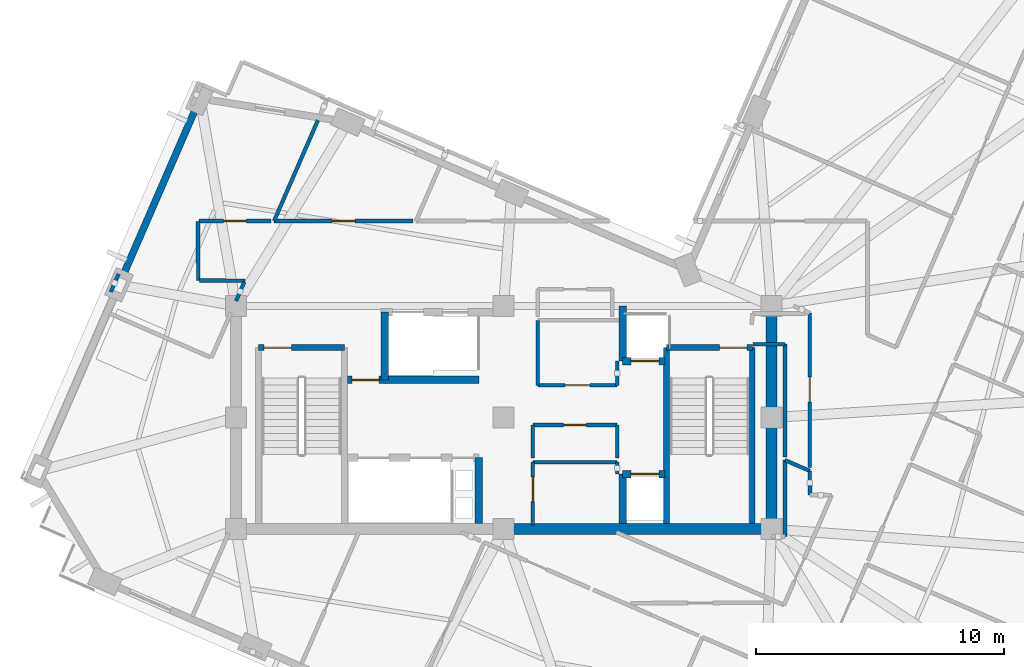
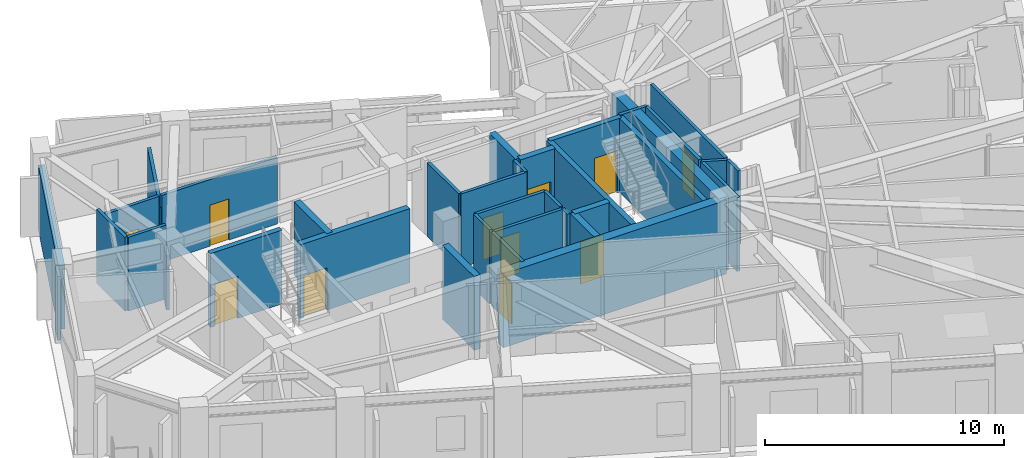
# One storey, part 6 of 12: 36 walls, 11 doors, 11 openings.
"""IFC4 building model written with IfcOpenShell, lengths in metres."""

from ifc_helpers import new_model, si_unit, direction, frame, frame_2d, origin, place, context, subcontext, project, spatial, rectangle, extrude, material, layer, layer_set, type_object, element, fill, save


model = new_model("IFC4")

# Units and contexts
model_context = context("Model", 3, precision=1e-05, world=origin(), true_north=direction((0.0, 1.0)))
body_context = subcontext(model_context, "Body", "Model", "MODEL_VIEW")
ifc_project = project(units=[si_unit("LENGTHUNIT", "METRE"), si_unit("AREAUNIT", "SQUARE_METRE"), si_unit("VOLUMEUNIT", "CUBIC_METRE"), si_unit("PLANEANGLEUNIT", "RADIAN"), si_unit("MASSUNIT", "GRAM", prefix="KILO")], contexts=[model_context])

# Site, building, storey
site_placement = place(None, origin())
site = spatial("IfcSite", under=ifc_project, at=site_placement, CompositionType="ELEMENT")
building_placement = place(site_placement, origin())
building = spatial("IfcBuilding", under=site, at=building_placement, Name="Gaonmaruhae Medical Tower", CompositionType="ELEMENT")
storey_placement = place(building_placement, frame((0.0, 0.0, 320.60009765625)))
storey = spatial("IfcBuildingStorey", under=building, at=storey_placement, Name="L77", CompositionType="ELEMENT", Elevation=320.60009765625)

# Walls
ifc_material_1 = material(Name="Concrete C50/60", Category="concrete")
ifc_layer_1 = layer(ifc_material_1, 0.449951171875)
ifc_layer_set_1 = layer_set([ifc_layer_1], Name="Concrete C50/60")
wall_type_1 = type_object("IfcWallType", Name="CW-450 Upper Core Shear Wall", PredefinedType="SHEAR", material=ifc_layer_set_1)
wall_1_placement = place(storey_placement, frame((24.800048828125, 7.800048828125, 0.0), z_axis=(0.0, 0.0, 1.0), x_axis=(1.0, 0.0, 0.0)))
element("IfcWall", 1, at=wall_1_placement, inside=storey, type_object=wall_type_1, Name="L77 Core Shear Wall CSW-S2", PredefinedType="SHEAR", context=body_context, shape_type="SweptSolid", body=[
    extrude(rectangle(XDim=10.800048828125, YDim=0.449951171875, at=frame_2d((5.39990234375, 0.0))), origin(), (0.0, 0.0, 1.0), 3.77978515625),
])
wall_2_placement = place(storey_placement, frame((35.60009765625, 7.800048828125, 0.0), z_axis=(0.0, 0.0, 1.0), x_axis=(0.0, 1.0, 0.0)))
element("IfcWall", 2, at=wall_2_placement, inside=storey, type_object=wall_type_1, Name="L77 Core Shear Wall CSW-E1", PredefinedType="SHEAR", context=body_context, shape_type="SweptSolid", body=[
    extrude(rectangle(XDim=9.0, YDim=0.449951171875, at=frame_2d((4.5, 0.0))), origin(), (0.0, 0.0, 1.0), 3.77978515625),
])
ifc_material_2 = material(Name="Precast concrete C45/55", Category="concrete")
ifc_layer_2 = layer(ifc_material_2, 0.280029296875)
ifc_layer_set_2 = layer_set([ifc_layer_2], Name="Precast concrete C45/55")
wall_type_2 = type_object("IfcWallType", Name="EW-280 Upper Precast Masonry-Frame Facade Wall", PredefinedType="SOLIDWALL", material=ifc_layer_set_2)
wall_3_placement = place(storey_placement, frame((9.44189453125, 18.01806640625, 0.0), z_axis=(0.0, 0.0, 1.0), x_axis=(0.398768305896, 0.917051709672, 0.0)))
element("IfcWall", 3, at=wall_3_placement, inside=storey, type_object=wall_type_2, Name="L77 Precast Masonry-Frame Wall N01-N02", PredefinedType="SOLIDWALL", context=body_context, shape_type="SweptSolid", body=[
    extrude(rectangle(XDim=7.405029296875, YDim=0.280029296875, at=frame_2d((3.70263671875, 0.0))), origin(), (0.0, 0.0, 1.0), 3.264892578125),
])

# Wall, opening, door
ifc_material_3 = material(Name="Gypsum board partition", Category="gypsum")
ifc_layer_3 = layer(ifc_material_3, 0.14990234375)
ifc_layer_set_3 = layer_set([ifc_layer_3], Name="Gypsum board partition")
wall_type_3 = type_object("IfcWallType", Name="PW-150 Rated Clinical Corridor Partition", PredefinedType="PARTITIONING", material=ifc_layer_set_3)
wall_4_placement = place(storey_placement, frame((25.97998046875, 7.9599609375, 0.0), z_axis=(0.0, 0.0, 1.0), x_axis=(0.0, 1.0, 0.0)))
wall_4 = element("IfcWall", 4, at=wall_4_placement, inside=storey, type_object=wall_type_3, Name="L77 Interior Partition L77-RCL1-1", PredefinedType="PARTITIONING", context=body_context, shape_type="SweptSolid", body=[
    extrude(rectangle(XDim=2.5400390625, YDim=0.14990234375, at=frame_2d((1.27001953125, 0.0))), origin(), (0.0, 0.0, 1.0), 3.77978515625),
])
opening_1_placement = place(wall_4_placement, frame((0.945068359375, 0.0, 0.0)))
opening_1 = element("IfcOpeningElement", 5, at=opening_1_placement, cuts=wall_4, Name="Opening CD-01", PredefinedType="OPENING", context=body_context, shape_type="SweptSolid", body=[
    extrude(rectangle(XDim=1.0, YDim=2.1201171875, at=frame_2d((0.5, 1.06005859375))), frame((0.0, 0.0849609375, 0.0), z_axis=(0.0, -1.0, 0.0), x_axis=(1.0, 0.0, 0.0)), (0.0, 0.0, 1.0), 0.169921875),
])
ifc_material_4 = material(Name="Antimicrobial laminate timber fire door", Category="wood")
door_type_1 = type_object("IfcDoorType", Name="CD-01 Consultation & Physician Office Door 1000x2120", OperationType="NOTDEFINED", PredefinedType="DOOR", material=ifc_material_4)
door_1_placement = place(opening_1_placement, origin())
door_1 = element("IfcDoor", 6, at=door_1_placement, inside=storey, type_object=door_type_1, Name="L77 Clinical Telemetry and Medication Room Door", OperationType="SINGLE_SWING_RIGHT", OverallHeight=2.1201171875, OverallWidth=1.0, PredefinedType="DOOR", context=body_context, shape_type="SweptSolid", body=[
    extrude(rectangle(XDim=1.0, YDim=2.1201171875, at=frame_2d((0.5, 1.06005859375))), frame((0.0, 0.02490234375, 0.0), z_axis=(0.0, -1.0, 0.0), x_axis=(1.0, 0.0, 0.0)), (0.0, 0.0, 1.0), 0.050048828125),
])
fill(opening_1, door_1)

# Walls
wall_5_placement = place(storey_placement, frame((25.97998046875, 10.5, 0.0), z_axis=(0.0, 0.0, 1.0), x_axis=(1.0, 0.0, 0.0)))
element("IfcWall", 7, at=wall_5_placement, inside=storey, type_object=wall_type_3, Name="L77 Interior Partition L77-RCL1-2", PredefinedType="PARTITIONING", context=body_context, shape_type="SweptSolid", body=[
    extrude(rectangle(XDim=3.39990234375, YDim=0.14990234375, at=frame_2d((1.699951171875, 0.0))), origin(), (0.0, 0.0, 1.0), 3.77978515625),
])
wall_6_placement = place(storey_placement, frame((29.3798828125, 10.5, 0.0), z_axis=(0.0, 0.0, 1.0), x_axis=(0.0, -1.0, 0.0)))
element("IfcWall", 8, at=wall_6_placement, inside=storey, type_object=wall_type_3, Name="L77 Interior Partition L77-RCL1-3", PredefinedType="PARTITIONING", context=body_context, shape_type="SweptSolid", body=[
    extrude(rectangle(XDim=0.47998046875, YDim=0.14990234375, at=frame_2d((0.239990234375, 0.0))), origin(), (0.0, 0.0, 1.0), 3.77978515625),
])
wall_7_placement = place(storey_placement, frame((25.97998046875, 10.659912109375, 0.0), z_axis=(0.0, 0.0, 1.0), x_axis=(0.0, 1.0, 0.0)))
element("IfcWall", 9, at=wall_7_placement, inside=storey, type_object=wall_type_3, Name="L77 Interior Partition L77-CS1-4", PredefinedType="PARTITIONING", context=body_context, shape_type="SweptSolid", body=[
    extrude(rectangle(XDim=1.340087890625, YDim=0.14990234375, at=frame_2d((0.669921875, 0.0))), origin(), (0.0, 0.0, 1.0), 3.77978515625),
])

# Wall, opening, door
wall_8_placement = place(storey_placement, frame((25.97998046875, 12.0, 0.0), z_axis=(0.0, 0.0, 1.0), x_axis=(1.0, 0.0, 0.0)))
wall_8 = element("IfcWall", 10, at=wall_8_placement, inside=storey, type_object=wall_type_3, Name="L77 Interior Partition L77-CS1-5", PredefinedType="PARTITIONING", context=body_context, shape_type="SweptSolid", body=[
    extrude(rectangle(XDim=3.39990234375, YDim=0.14990234375, at=frame_2d((1.699951171875, 0.0))), origin(), (0.0, 0.0, 1.0), 3.77978515625),
])
opening_2_placement = place(wall_8_placement, frame((1.239990234375, 0.0, 0.0)))
opening_2 = element("IfcOpeningElement", 11, at=opening_2_placement, cuts=wall_8, Name="Opening UD-01", PredefinedType="OPENING", context=body_context, shape_type="SweptSolid", body=[
    extrude(rectangle(XDim=0.919921875, YDim=2.10009765625, at=frame_2d((0.4599609375, 1.050048828125))), frame((0.0, 0.0849609375, 0.0), z_axis=(0.0, -1.0, 0.0), x_axis=(1.0, 0.0, 0.0)), (0.0, 0.0, 1.0), 0.169921875),
])
ifc_material_5 = material(Name="Powder-coated steel utility door", Category="steel")
door_type_2 = type_object("IfcDoorType", Name="UD-01 Toilet, Utility & Housekeeping Door 920x2100", OperationType="NOTDEFINED", PredefinedType="DOOR", material=ifc_material_5)
door_2_placement = place(opening_2_placement, origin())
door_2 = element("IfcDoor", 12, at=door_2_placement, inside=storey, type_object=door_type_2, Name="L77 Accessible Staff Toilet Door", OperationType="SINGLE_SWING_LEFT", OverallHeight=2.10009765625, OverallWidth=0.919921875, PredefinedType="DOOR", context=body_context, shape_type="SweptSolid", body=[
    extrude(rectangle(XDim=0.919921875, YDim=2.10009765625, at=frame_2d((0.4599609375, 1.050048828125))), frame((0.0, 0.02490234375, 0.0), z_axis=(0.0, -1.0, 0.0), x_axis=(1.0, 0.0, 0.0)), (0.0, 0.0, 1.0), 0.050048828125),
])
fill(opening_2, door_2)

# Walls
wall_9_placement = place(storey_placement, frame((29.3798828125, 12.0, 0.0), z_axis=(0.0, 0.0, 1.0), x_axis=(0.0, -1.0, 0.0)))
element("IfcWall", 13, at=wall_9_placement, inside=storey, type_object=wall_type_3, Name="L77 Interior Partition L77-CS1-6", PredefinedType="PARTITIONING", context=body_context, shape_type="SweptSolid", body=[
    extrude(rectangle(XDim=1.340087890625, YDim=0.14990234375, at=frame_2d((0.669921875, 0.0))), origin(), (0.0, 0.0, 1.0), 3.77978515625),
])
wall_10_placement = place(storey_placement, frame((26.179931640625, 13.60009765625, 0.0), z_axis=(0.0, 0.0, 1.0), x_axis=(0.0, 1.0, 0.0)))
element("IfcWall", 14, at=wall_10_placement, inside=storey, type_object=wall_type_3, Name="L77 Interior Partition L77-RCL2-7", PredefinedType="PARTITIONING", context=body_context, shape_type="SweptSolid", body=[
    extrude(rectangle(XDim=2.619873046875, YDim=0.14990234375, at=frame_2d((1.31005859375, 0.0))), origin(), (0.0, 0.0, 1.0), 3.77978515625),
])
wall_11_placement = place(storey_placement, frame((29.3798828125, 14.580078125, 0.0), z_axis=(0.0, 0.0, 1.0), x_axis=(0.0, -1.0, 0.0)))
element("IfcWall", 15, at=wall_11_placement, inside=storey, type_object=wall_type_3, Name="L77 Interior Partition L77-RCL2-9", PredefinedType="PARTITIONING", context=body_context, shape_type="SweptSolid", body=[
    extrude(rectangle(XDim=0.97998046875, YDim=0.14990234375, at=frame_2d((0.489990234375, 0.0))), origin(), (0.0, 0.0, 1.0), 3.77978515625),
])

# Wall, opening, door
wall_12_placement = place(storey_placement, frame((29.3798828125, 13.60009765625, 0.0), z_axis=(0.0, 0.0, 1.0), x_axis=(-1.0, 0.0, 0.0)))
wall_12 = element("IfcWall", 16, at=wall_12_placement, inside=storey, type_object=wall_type_3, Name="L77 Interior Partition L77-RCL2-10", PredefinedType="PARTITIONING", context=body_context, shape_type="SweptSolid", body=[
    extrude(rectangle(XDim=3.199951171875, YDim=0.14990234375, at=frame_2d((1.60009765625, 0.0))), origin(), (0.0, 0.0, 1.0), 3.77978515625),
])
opening_3_placement = place(wall_12_placement, frame((1.10009765625, 0.0, 0.0)))
opening_3 = element("IfcOpeningElement", 17, at=opening_3_placement, cuts=wall_12, Name="Opening CD-01", PredefinedType="OPENING", context=body_context, shape_type="SweptSolid", body=[
    extrude(rectangle(XDim=1.0, YDim=2.1201171875, at=frame_2d((0.5, 1.06005859375))), frame((0.0, 0.0849609375, 0.0), z_axis=(0.0, -1.0, 0.0), x_axis=(1.0, 0.0, 0.0)), (0.0, 0.0, 1.0), 0.169921875),
])
door_3_placement = place(opening_3_placement, origin())
door_3 = element("IfcDoor", 18, at=door_3_placement, inside=storey, type_object=door_type_1, Name="L77 High-Zone Specialist Pharmacy Prep Room Door", OperationType="SINGLE_SWING_LEFT", OverallHeight=2.1201171875, OverallWidth=1.0, PredefinedType="DOOR", context=body_context, shape_type="SweptSolid", body=[
    extrude(rectangle(XDim=1.0, YDim=2.1201171875, at=frame_2d((0.5, 1.06005859375))), frame((0.0, 0.02490234375, 0.0), z_axis=(0.0, -1.0, 0.0), x_axis=(1.0, 0.0, 0.0)), (0.0, 0.0, 1.0), 0.050048828125),
])
fill(opening_3, door_3)

# Walls
wall_13_placement = place(storey_placement, frame((36.14990234375, 10.58203125, 0.0), z_axis=(0.0, 0.0, 1.0), x_axis=(0.916977493273, -0.398938938724, 0.0)))
element("IfcWall", 19, at=wall_13_placement, inside=storey, type_object=wall_type_3, Name="L77 Interior Partition L77-IE01-83", PredefinedType="PARTITIONING", context=body_context, shape_type="SweptSolid", body=[
    extrude(rectangle(XDim=1.090576171875, YDim=0.14990234375, at=frame_2d((0.54541015625, 0.0))), origin(), (0.0, 0.0, 1.0), 3.77978515625),
])
wall_14_placement = place(storey_placement, frame((37.14990234375, 10.14697265625, 0.0), z_axis=(0.0, 0.0, 1.0), x_axis=(0.011325727104, -0.999935861896, 0.0)))
element("IfcWall", 20, at=wall_14_placement, inside=storey, type_object=wall_type_3, Name="L77 Interior Partition L77-IE01-84", PredefinedType="PARTITIONING", context=body_context, shape_type="SweptSolid", body=[
    extrude(rectangle(XDim=0.969970703125, YDim=0.14990234375, at=frame_2d((0.48486328125, 0.0))), origin(), (0.0, 0.0, 1.0), 3.77978515625),
])
wall_15_placement = place(storey_placement, frame((36.14990234375, 7.5, 0.0), z_axis=(0.0, 0.0, 1.0), x_axis=(0.0, 1.0, 0.0)))
element("IfcWall", 21, at=wall_15_placement, inside=storey, type_object=wall_type_3, Name="L77 Interior Partition L77-IE01-89", PredefinedType="PARTITIONING", context=body_context, shape_type="SweptSolid", body=[
    extrude(rectangle(XDim=3.08203125, YDim=0.14990234375, at=frame_2d((1.541015625, 0.0))), origin(), (0.0, 0.0, 1.0), 3.77978515625),
])

# Wall, opening, door
wall_16_placement = place(storey_placement, frame((37.14990234375, 16.51611328125, 0.0), z_axis=(0.0, 0.0, 1.0), x_axis=(0.0, -1.0, 0.0)))
wall_16 = element("IfcWall", 22, at=wall_16_placement, inside=storey, type_object=wall_type_3, Name="L77 Interior Partition L77-IE02-93", PredefinedType="PARTITIONING", context=body_context, shape_type="SweptSolid", body=[
    extrude(rectangle(XDim=6.238037109375, YDim=0.14990234375, at=frame_2d((3.119140625, 0.0))), origin(), (0.0, 0.0, 1.0), 3.77978515625),
])
opening_4_placement = place(wall_16_placement, frame((2.580078125, 0.0, 0.0)))
opening_4 = element("IfcOpeningElement", 23, at=opening_4_placement, cuts=wall_16, Name="Opening CD-01", PredefinedType="OPENING", context=body_context, shape_type="SweptSolid", body=[
    extrude(rectangle(XDim=1.0, YDim=2.1201171875, at=frame_2d((0.5, 1.06005859375))), frame((0.0, 0.0849609375, 0.0), z_axis=(0.0, -1.0, 0.0), x_axis=(1.0, 0.0, 0.0)), (0.0, 0.0, 1.0), 0.169921875),
])
door_4_placement = place(opening_4_placement, origin())
door_4 = element("IfcDoor", 24, at=door_4_placement, inside=storey, type_object=door_type_1, Name="L77 Acute Treatment Examination Room Sliding Door", OperationType="SLIDING_TO_LEFT", OverallHeight=2.1201171875, OverallWidth=1.0, PredefinedType="DOOR", context=body_context, shape_type="SweptSolid", body=[
    extrude(rectangle(XDim=1.0, YDim=2.1201171875, at=frame_2d((0.5, 1.06005859375))), frame((0.0, 0.02490234375, 0.0), z_axis=(0.0, -1.0, 0.0), x_axis=(1.0, 0.0, 0.0)), (0.0, 0.0, 1.0), 0.050048828125),
])
fill(opening_4, door_4)

# Walls
wall_17_placement = place(storey_placement, frame((36.14990234375, 10.7119140625, 0.0), z_axis=(0.0, 0.0, 1.0), x_axis=(0.0, 1.0, 0.0)))
element("IfcWall", 25, at=wall_17_placement, inside=storey, type_object=wall_type_3, Name="L77 Interior Partition L77-IE02-94", PredefinedType="PARTITIONING", context=body_context, shape_type="SweptSolid", body=[
    extrude(rectangle(XDim=4.548095703125, YDim=0.14990234375, at=frame_2d((2.27392578125, 0.0))), origin(), (0.0, 0.0, 1.0), 3.77978515625),
])
wall_18_placement = place(storey_placement, frame((36.14990234375, 15.260009765625, 0.0), z_axis=(0.0, 0.0, 1.0), x_axis=(-1.0, 0.0, 0.0)))
element("IfcWall", 26, at=wall_18_placement, inside=storey, type_object=wall_type_3, Name="L77 Interior Partition L77-IE02-95", PredefinedType="PARTITIONING", context=body_context, shape_type="SweptSolid", body=[
    extrude(rectangle(XDim=1.2998046875, YDim=0.14990234375, at=frame_2d((0.64990234375, 0.0))), origin(), (0.0, 0.0, 1.0), 3.77978515625),
])

# Wall, opening, door
wall_19_placement = place(storey_placement, frame((21.134033203125, 20.22998046875, 0.0), z_axis=(0.0, 0.0, 1.0), x_axis=(-1.0, 0.0, 0.0)))
wall_19 = element("IfcWall", 27, at=wall_19_placement, inside=storey, type_object=wall_type_3, Name="L77 Interior Partition L77-IN02-122", PredefinedType="PARTITIONING", context=body_context, shape_type="SweptSolid", body=[
    extrude(rectangle(XDim=5.593994140625, YDim=0.14990234375, at=frame_2d((2.796875, 0.0))), origin(), (0.0, 0.0, 1.0), 3.414794921875),
])
opening_5_placement = place(wall_19_placement, frame((2.3369140625, 0.0, 0.0)))
opening_5 = element("IfcOpeningElement", 28, at=opening_5_placement, cuts=wall_19, Name="Opening UD-01", PredefinedType="OPENING", context=body_context, shape_type="SweptSolid", body=[
    extrude(rectangle(XDim=0.919921875, YDim=2.10009765625, at=frame_2d((0.4599609375, 1.050048828125))), frame((0.0, 0.0849609375, 0.0), z_axis=(0.0, -1.0, 0.0), x_axis=(1.0, 0.0, 0.0)), (0.0, 0.0, 1.0), 0.169921875),
])
door_5_placement = place(opening_5_placement, origin())
door_5 = element("IfcDoor", 29, at=door_5_placement, inside=storey, type_object=door_type_2, Name="L77 Ward Nutrition Pantry Door", OperationType="SINGLE_SWING_RIGHT", OverallHeight=2.10009765625, OverallWidth=0.919921875, PredefinedType="DOOR", context=body_context, shape_type="SweptSolid", body=[
    extrude(rectangle(XDim=0.919921875, YDim=2.10009765625, at=frame_2d((0.4599609375, 1.050048828125))), frame((0.0, 0.02490234375, 0.0), z_axis=(0.0, -1.0, 0.0), x_axis=(1.0, 0.0, 0.0)), (0.0, 0.0, 1.0), 0.050048828125),
])
fill(opening_5, door_5)

# Walls
wall_20_placement = place(storey_placement, frame((15.5400390625, 20.22998046875, 0.0), z_axis=(0.0, 0.0, 1.0), x_axis=(0.398707980575, 0.917077939014, 0.0)))
element("IfcWall", 30, at=wall_20_placement, inside=storey, type_object=wall_type_3, Name="L77 Interior Partition L77-IN02-123", PredefinedType="PARTITIONING", context=body_context, shape_type="SweptSolid", body=[
    extrude(rectangle(XDim=4.431396484375, YDim=0.14990234375, at=frame_2d((2.2158203125, 0.0))), origin(), (0.0, 0.0, 1.0), 2.764892578125),
])
wall_21_placement = place(storey_placement, frame((12.469970703125, 20.202880859375, 0.0), z_axis=(0.0, 0.0, 1.0), x_axis=(0.002985061327, -0.999995544695, 0.0)))
element("IfcWall", 31, at=wall_21_placement, inside=storey, type_object=wall_type_3, Name="L77 Interior Partition L77-IN03-126", PredefinedType="PARTITIONING", context=body_context, shape_type="SweptSolid", body=[
    extrude(rectangle(XDim=2.371826171875, YDim=0.14990234375, at=frame_2d((1.18603515625, 0.0))), origin(), (0.0, 0.0, 1.0), 3.77978515625),
])
wall_22_placement = place(storey_placement, frame((12.527099609375, 17.8310546875, 0.0), z_axis=(0.0, 0.0, 1.0), x_axis=(0.999982057945, -0.005990307855, 0.0)))
element("IfcWall", 32, at=wall_22_placement, inside=storey, type_object=wall_type_3, Name="L77 Interior Partition L77-IN03-127", PredefinedType="PARTITIONING", context=body_context, shape_type="SweptSolid", body=[
    extrude(rectangle(XDim=1.833984375, YDim=0.14990234375, at=frame_2d((0.9169921875, 0.0))), origin(), (0.0, 0.0, 1.0), 3.77978515625),
])
wall_23_placement = place(storey_placement, frame((14.339111328125, 17.77001953125, 0.0), z_axis=(0.0, 0.0, 1.0), x_axis=(-0.399140640041, -0.916889714997, 0.0)))
element("IfcWall", 33, at=wall_23_placement, inside=storey, type_object=wall_type_3, Name="L77 Interior Partition L77-IN03-128", PredefinedType="PARTITIONING", context=body_context, shape_type="SweptSolid", body=[
    extrude(rectangle(XDim=0.83984375, YDim=0.14990234375, at=frame_2d((0.419921875, 0.0))), origin(), (0.0, 0.0, 1.0), 2.764892578125),
])
wall_24_placement = place(storey_placement, frame((8.950927734375, 17.364990234375, 0.0), z_axis=(0.0, 0.0, 1.0), x_axis=(0.398916999953, 0.916987037612, 0.0)))
element("IfcWall", 34, at=wall_24_placement, inside=storey, type_object=wall_type_3, Name="L77 Interior Partition L77-IN03-131", PredefinedType="PARTITIONING", context=body_context, shape_type="SweptSolid", body=[
    extrude(rectangle(XDim=0.794921875, YDim=0.14990234375, at=frame_2d((0.3974609375, 0.0))), origin(), (0.0, 0.0, 1.0), 3.264892578125),
])

# Wall, opening, door
wall_25_placement = place(storey_placement, frame((15.408935546875, 20.22998046875, 0.0), z_axis=(0.0, 0.0, 1.0), x_axis=(-1.0, 0.0, 0.0)))
wall_25 = element("IfcWall", 35, at=wall_25_placement, inside=storey, type_object=wall_type_3, Name="L77 Interior Partition L77-IN03-136", PredefinedType="PARTITIONING", context=body_context, shape_type="SweptSolid", body=[
    extrude(rectangle(XDim=2.89697265625, YDim=0.14990234375, at=frame_2d((1.448486328125, 0.0))), origin(), (0.0, 0.0, 1.0), 3.414794921875),
])
opening_6_placement = place(wall_25_placement, frame((0.988525390625, 0.0, 0.0)))
opening_6 = element("IfcOpeningElement", 36, at=opening_6_placement, cuts=wall_25, Name="Opening UD-01", PredefinedType="OPENING", context=body_context, shape_type="SweptSolid", body=[
    extrude(rectangle(XDim=0.919921875, YDim=2.10009765625, at=frame_2d((0.4599609375, 1.050048828125))), frame((0.0, 0.0849609375, 0.0), z_axis=(0.0, -1.0, 0.0), x_axis=(1.0, 0.0, 0.0)), (0.0, 0.0, 1.0), 0.169921875),
])
door_6_placement = place(opening_6_placement, origin())
door_6 = element("IfcDoor", 37, at=door_6_placement, inside=storey, type_object=door_type_2, Name="L77 Public Visitor Toilet Door", OperationType="SINGLE_SWING_RIGHT", OverallHeight=2.10009765625, OverallWidth=0.919921875, PredefinedType="DOOR", context=body_context, shape_type="SweptSolid", body=[
    extrude(rectangle(XDim=0.919921875, YDim=2.10009765625, at=frame_2d((0.4599609375, 1.050048828125))), frame((0.0, 0.02490234375, 0.0), z_axis=(0.0, -1.0, 0.0), x_axis=(1.0, 0.0, 0.0)), (0.0, 0.0, 1.0), 0.050048828125),
])
fill(opening_6, door_6)

ifc_layer_4 = layer(ifc_material_1, 0.239990234375)
ifc_layer_set_4 = layer_set([ifc_layer_4], Name="Concrete C50/60")
wall_type_4 = type_object("IfcWallType", Name="SW-240 Dogleg Stair Tight Shaft Wall", PredefinedType="SOLIDWALL", material=ifc_layer_set_4)
wall_26_placement = place(storey_placement, frame((14.919921875, 15.1201171875, 0.0), z_axis=(0.0, 0.0, 1.0), x_axis=(1.0, 0.0, 0.0)))
wall_26 = element("IfcWall", 38, at=wall_26_placement, inside=storey, type_object=wall_type_4, Name="L77 ST-01 Stair Shaft Wall SHW-ST-01-N", PredefinedType="SOLIDWALL", context=body_context, shape_type="SweptSolid", body=[
    extrude(rectangle(XDim=3.4599609375, YDim=0.239990234375, at=frame_2d((1.72998046875, 0.0))), origin(), (0.0, 0.0, 1.0), 3.77978515625),
])
opening_7_placement = place(wall_26_placement, frame((0.219970703125, 0.0, 0.0)))
opening_7 = element("IfcOpeningElement", 39, at=opening_7_placement, cuts=wall_26, Name="Opening FD-01", PredefinedType="OPENING", context=body_context, shape_type="SweptSolid", body=[
    extrude(rectangle(XDim=1.10009765625, YDim=2.14990234375, at=frame_2d((0.550048828125, 1.074951171875))), frame((0.0, 0.1298828125, 0.0), z_axis=(0.0, -1.0, 0.0), x_axis=(1.0, 0.0, 0.0)), (0.0, 0.0, 1.0), 0.260009765625),
])
ifc_material_6 = material(Name="Powder-coated steel fire door", Category="steel")
door_type_3 = type_object("IfcDoorType", Name="FD-01 Escape Stair Protected Fire Door 1100x2150", OperationType="NOTDEFINED", PredefinedType="DOOR", material=ifc_material_6)
door_7_placement = place(opening_7_placement, origin())
door_7 = element("IfcDoor", 40, at=door_7_placement, inside=storey, type_object=door_type_3, Name="L77 ST-01 Protected Escape Stair Door", OperationType="SINGLE_SWING_RIGHT", OverallHeight=2.14990234375, OverallWidth=1.10009765625, PredefinedType="DOOR", context=body_context, shape_type="SweptSolid", body=[
    extrude(rectangle(XDim=1.10009765625, YDim=2.14990234375, at=frame_2d((0.550048828125, 1.074951171875))), frame((0.0, 0.02490234375, 0.0), z_axis=(0.0, -1.0, 0.0), x_axis=(1.0, 0.0, 0.0)), (0.0, 0.0, 1.0), 0.050048828125),
])
fill(opening_7, door_7)

wall_27_placement = place(storey_placement, frame((31.3701171875, 15.1201171875, 0.0), z_axis=(0.0, 0.0, 1.0), x_axis=(1.0, 0.0, 0.0)))
wall_27 = element("IfcWall", 41, at=wall_27_placement, inside=storey, type_object=wall_type_4, Name="L77 ST-02 Stair Shaft Wall SHW-ST-02-N", PredefinedType="SOLIDWALL", context=body_context, shape_type="SweptSolid", body=[
    extrude(rectangle(XDim=3.4599609375, YDim=0.239990234375, at=frame_2d((1.72998046875, 0.0))), origin(), (0.0, 0.0, 1.0), 3.77978515625),
])
opening_8_placement = place(wall_27_placement, frame((2.139892578125, 0.0, 0.0)))
opening_8 = element("IfcOpeningElement", 42, at=opening_8_placement, cuts=wall_27, Name="Opening FD-01", PredefinedType="OPENING", context=body_context, shape_type="SweptSolid", body=[
    extrude(rectangle(XDim=1.10009765625, YDim=2.14990234375, at=frame_2d((0.550048828125, 1.074951171875))), frame((0.0, 0.1298828125, 0.0), z_axis=(0.0, -1.0, 0.0), x_axis=(1.0, 0.0, 0.0)), (0.0, 0.0, 1.0), 0.260009765625),
])
door_8_placement = place(opening_8_placement, origin())
door_8 = element("IfcDoor", 43, at=door_8_placement, inside=storey, type_object=door_type_3, Name="L77 ST-02 Protected Escape Stair Door", OperationType="SINGLE_SWING_LEFT", OverallHeight=2.14990234375, OverallWidth=1.10009765625, PredefinedType="DOOR", context=body_context, shape_type="SweptSolid", body=[
    extrude(rectangle(XDim=1.10009765625, YDim=2.14990234375, at=frame_2d((0.550048828125, 1.074951171875))), frame((0.0, 0.02490234375, 0.0), z_axis=(0.0, -1.0, 0.0), x_axis=(1.0, 0.0, 0.0)), (0.0, 0.0, 1.0), 0.050048828125),
])
fill(opening_8, door_8)

# Walls
for number, where, z_axis, x_axis, name in (
    (44, (34.830078125, 15.1201171875, 0.0), (0.0, 0.0, 1.0), (0.0, -1.0, 0.0), "L77 ST-02 Stair Shaft Wall SHW-ST-02-E"),
    (45, (31.3701171875, 8.02490234375, 0.0), (0.0, 0.0, 1.0), (0.0, 1.0, 0.0), "L77 ST-02 Stair Shaft Wall SHW-ST-02-W"),
):
    element("IfcWall", number, at=place(storey_placement, frame(where, z_axis=z_axis, x_axis=x_axis)), inside=storey, type_object=wall_type_4, Name=name, PredefinedType="SOLIDWALL", context=body_context, shape_type="SweptSolid", body=[
        extrude(rectangle(XDim=7.09521484375, YDim=0.239990234375, at=frame_2d((3.547607421875, 0.0))), origin(), (0.0, 0.0, 1.0), 3.77978515625),
    ])

# Wall, opening, door
ifc_layer_5 = layer(ifc_material_1, 0.300048828125)
ifc_layer_set_5 = layer_set([ifc_layer_5], Name="Concrete C50/60")
wall_type_5 = type_object("IfcWallType", Name="SW-300 Stair & Lift Hoistway Shaft Wall", PredefinedType="SOLIDWALL", material=ifc_layer_set_5)
wall_28_placement = place(storey_placement, frame((18.5, 13.820068359375, 0.0), z_axis=(0.0, 0.0, 1.0), x_axis=(1.0, 0.0, 0.0)))
wall_28 = element("IfcWall", 46, at=wall_28_placement, inside=storey, type_object=wall_type_5, Name="L77 Shaft Enclosure Wall SHW-FFL", PredefinedType="SOLIDWALL", context=body_context, shape_type="SweptSolid", body=[
    extrude(rectangle(XDim=5.300048828125, YDim=0.300048828125, at=frame_2d((2.64990234375, 0.0))), origin(), (0.0, 0.0, 1.0), 3.77978515625),
])
opening_9_placement = place(wall_28_placement, frame((0.179931640625, 0.0, 0.0)))
opening_9 = element("IfcOpeningElement", 47, at=opening_9_placement, cuts=wall_28, Name="Opening FD-01", PredefinedType="OPENING", context=body_context, shape_type="SweptSolid", body=[
    extrude(rectangle(XDim=1.10009765625, YDim=2.14990234375, at=frame_2d((0.550048828125, 1.074951171875))), frame((0.0, 0.16015625, 0.0), z_axis=(0.0, -1.0, 0.0), x_axis=(1.0, 0.0, 0.0)), (0.0, 0.0, 1.0), 0.320068359375),
])
door_9_placement = place(opening_9_placement, origin())
door_9 = element("IfcDoor", 48, at=door_9_placement, inside=storey, type_object=door_type_3, Name="L77 Firefighting Lobby Smoke Door", OperationType="SINGLE_SWING_LEFT", OverallHeight=2.14990234375, OverallWidth=1.10009765625, PredefinedType="DOOR", context=body_context, shape_type="SweptSolid", body=[
    extrude(rectangle(XDim=1.10009765625, YDim=2.14990234375, at=frame_2d((0.550048828125, 1.074951171875))), frame((0.0, 0.02490234375, 0.0), z_axis=(0.0, -1.0, 0.0), x_axis=(1.0, 0.0, 0.0)), (0.0, 0.0, 1.0), 0.050048828125),
])
fill(opening_9, door_9)

# Walls
wall_29_placement = place(storey_placement, frame((23.800048828125, 8.02490234375, 0.0), z_axis=(0.0, 0.0, 1.0), x_axis=(0.0, 1.0, 0.0)))
element("IfcWall", 49, at=wall_29_placement, inside=storey, type_object=wall_type_5, Name="L77 Shaft Enclosure Wall SHW-FFE", PredefinedType="SOLIDWALL", context=body_context, shape_type="SweptSolid", body=[
    extrude(rectangle(XDim=2.655029296875, YDim=0.300048828125, at=frame_2d((1.32763671875, 0.0))), origin(), (0.0, 0.0, 1.0), 3.77978515625),
])
wall_30_placement = place(storey_placement, frame((20.0, 13.820068359375, 0.0), z_axis=(0.0, 0.0, 1.0), x_axis=(0.0, 1.0, 0.0)))
element("IfcWall", 50, at=wall_30_placement, inside=storey, type_object=wall_type_5, Name="L77 Shaft Enclosure Wall SHW-BDW", PredefinedType="SOLIDWALL", context=body_context, shape_type="SweptSolid", body=[
    extrude(rectangle(XDim=2.72998046875, YDim=0.300048828125, at=frame_2d((1.364990234375, 0.0))), origin(), (0.0, 0.0, 1.0), 3.77978515625),
])

# Wall, opening, door
wall_31_placement = place(storey_placement, frame((29.60009765625, 10.02001953125, 0.0), z_axis=(0.0, 0.0, 1.0), x_axis=(1.0, 0.0, 0.0)))
wall_31 = element("IfcWall", 51, at=wall_31_placement, inside=storey, type_object=wall_type_5, Name="L77 Shaft Enclosure Wall SHW-PLS", PredefinedType="SOLIDWALL", context=body_context, shape_type="SweptSolid", body=[
    extrude(rectangle(XDim=1.699951171875, YDim=0.300048828125, at=frame_2d((0.85009765625, 0.0))), origin(), (0.0, 0.0, 1.0), 3.77978515625),
])
opening_10_placement = place(wall_31_placement, frame((0.340087890625, 0.0, 0.0)))
opening_10 = element("IfcOpeningElement", 52, at=opening_10_placement, cuts=wall_31, Name="Opening LD-P1", PredefinedType="OPENING", context=body_context, shape_type="SweptSolid", body=[
    extrude(rectangle(XDim=1.1201171875, YDim=2.14990234375, at=frame_2d((0.56005859375, 1.074951171875))), frame((0.0, 0.16015625, 0.0), z_axis=(0.0, -1.0, 0.0), x_axis=(1.0, 0.0, 0.0)), (0.0, 0.0, 1.0), 0.320068359375),
])
ifc_material_7 = material(Name="Brushed stainless steel 304 landing door", Category="steel")
door_type_4 = type_object("IfcDoorType", Name="LD-P1 Passenger Lift Sliding Landing Door 1120x2150", OperationType="NOTDEFINED", PredefinedType="DOOR", material=ifc_material_7)
door_10_placement = place(opening_10_placement, origin())
door_10 = element("IfcDoor", 53, at=door_10_placement, inside=storey, type_object=door_type_4, Name="L77 Passenger Lift Landing Door PL-H1", OperationType="DOUBLE_DOOR_SLIDING", OverallHeight=2.14990234375, OverallWidth=1.1201171875, PredefinedType="DOOR", context=body_context, shape_type="SweptSolid", body=[
    extrude(rectangle(XDim=1.1201171875, YDim=2.14990234375, at=frame_2d((0.56005859375, 1.074951171875))), frame((0.0, 0.02490234375, 0.0), z_axis=(0.0, -1.0, 0.0), x_axis=(1.0, 0.0, 0.0)), (0.0, 0.0, 1.0), 0.050048828125),
])
fill(opening_10, door_10)

# Wall
wall_32_placement = place(storey_placement, frame((29.60009765625, 8.02490234375, 0.0), z_axis=(0.0, 0.0, 1.0), x_axis=(0.0, 1.0, 0.0)))
element("IfcWall", 54, at=wall_32_placement, inside=storey, type_object=wall_type_5, Name="L77 Shaft Enclosure Wall SHW-PLD1", PredefinedType="SOLIDWALL", context=body_context, shape_type="SweptSolid", body=[
    extrude(rectangle(XDim=1.9951171875, YDim=0.300048828125, at=frame_2d((0.99755859375, 0.0))), origin(), (0.0, 0.0, 1.0), 3.77978515625),
])

# Wall, opening, door
wall_33_placement = place(storey_placement, frame((29.60009765625, 14.580078125, 0.0), z_axis=(0.0, 0.0, 1.0), x_axis=(1.0, 0.0, 0.0)))
wall_33 = element("IfcWall", 55, at=wall_33_placement, inside=storey, type_object=wall_type_5, Name="L77 Shaft Enclosure Wall SHW-PLN", PredefinedType="SOLIDWALL", context=body_context, shape_type="SweptSolid", body=[
    extrude(rectangle(XDim=1.699951171875, YDim=0.300048828125, at=frame_2d((0.85009765625, 0.0))), origin(), (0.0, 0.0, 1.0), 3.77978515625),
])
opening_11_placement = place(wall_33_placement, frame((0.340087890625, 0.0, 0.0)))
opening_11 = element("IfcOpeningElement", 56, at=opening_11_placement, cuts=wall_33, Name="Opening LD-P1", PredefinedType="OPENING", context=body_context, shape_type="SweptSolid", body=[
    extrude(rectangle(XDim=1.1201171875, YDim=2.14990234375, at=frame_2d((0.56005859375, 1.074951171875))), frame((0.0, 0.16015625, 0.0), z_axis=(0.0, -1.0, 0.0), x_axis=(1.0, 0.0, 0.0)), (0.0, 0.0, 1.0), 0.320068359375),
])
door_11_placement = place(opening_11_placement, origin())
door_11 = element("IfcDoor", 57, at=door_11_placement, inside=storey, type_object=door_type_4, Name="L77 Passenger Lift Landing Door PL-H2", OperationType="DOUBLE_DOOR_SLIDING", OverallHeight=2.14990234375, OverallWidth=1.1201171875, PredefinedType="DOOR", context=body_context, shape_type="SweptSolid", body=[
    extrude(rectangle(XDim=1.1201171875, YDim=2.14990234375, at=frame_2d((0.56005859375, 1.074951171875))), frame((0.0, 0.02490234375, 0.0), z_axis=(0.0, -1.0, 0.0), x_axis=(1.0, 0.0, 0.0)), (0.0, 0.0, 1.0), 0.050048828125),
])
fill(opening_11, door_11)

# Wall
wall_34_placement = place(storey_placement, frame((29.60009765625, 14.580078125, 0.0), z_axis=(0.0, 0.0, 1.0), x_axis=(0.0, 1.0, 0.0)))
element("IfcWall", 58, at=wall_34_placement, inside=storey, type_object=wall_type_5, Name="L77 Shaft Enclosure Wall SHW-PLD2", PredefinedType="SOLIDWALL", context=body_context, shape_type="SweptSolid", body=[
    extrude(rectangle(XDim=2.219970703125, YDim=0.300048828125, at=frame_2d((1.10986328125, 0.0))), origin(), (0.0, 0.0, 1.0), 3.77978515625),
])

save(model, "model.ifc")
